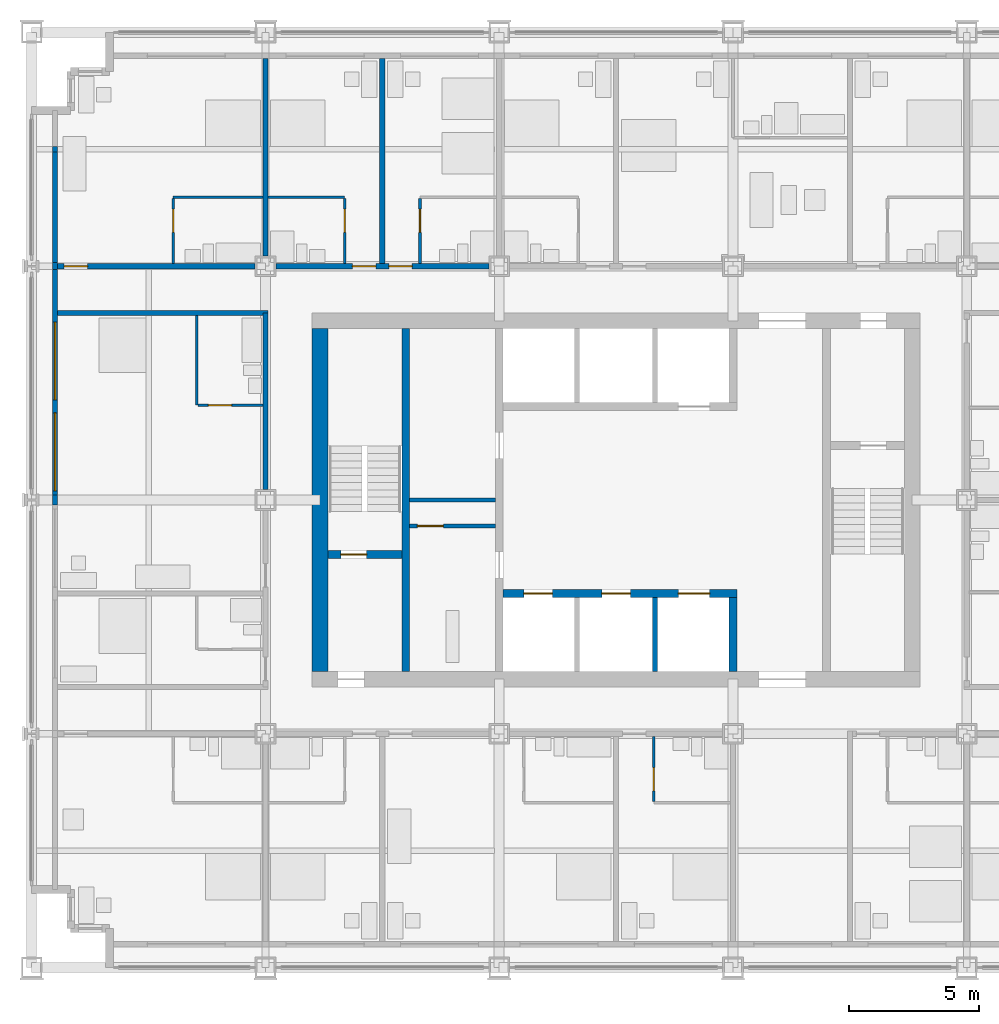
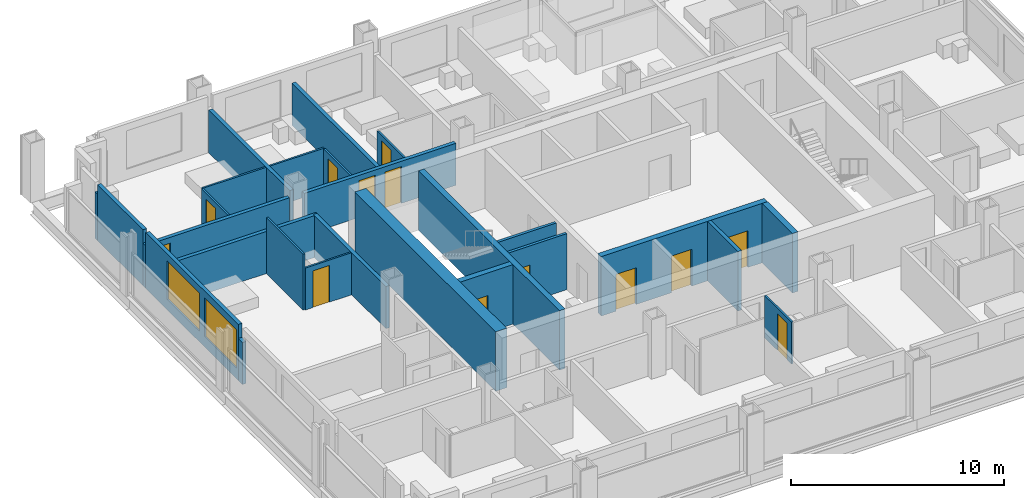
# One storey, part 10 of 16: 27 walls, 13 doors, 2 windows, 15 openings.
"""IFC4 building model written with IfcOpenShell, lengths in metres."""

from ifc_helpers import new_model, si_unit, direction, frame, frame_2d, origin, place, context, subcontext, project, spatial, rectangle, extrude, material, layer, layer_set, type_object, element, fill, save


model = new_model("IFC4")

# Units and contexts
model_context = context("Model", 3, precision=1e-05, world=origin(), true_north=direction((0.0, 1.0)))
body_context = subcontext(model_context, "Body", "Model", "MODEL_VIEW")
ifc_project = project(units=[si_unit("LENGTHUNIT", "METRE"), si_unit("AREAUNIT", "SQUARE_METRE"), si_unit("VOLUMEUNIT", "CUBIC_METRE"), si_unit("PLANEANGLEUNIT", "RADIAN"), si_unit("MASSUNIT", "GRAM", prefix="KILO")], contexts=[model_context])

# Site, building, storey
site_placement = place(None, origin())
site = spatial("IfcSite", under=ifc_project, at=site_placement, CompositionType="ELEMENT")
building_placement = place(site_placement, origin())
building = spatial("IfcBuilding", under=site, at=building_placement, Name="Loomwork Tower", CompositionType="ELEMENT")
storey_placement = place(building_placement, frame((0.0, 0.0, 101.0)))
storey = spatial("IfcBuildingStorey", under=building, at=storey_placement, Name="L26", CompositionType="ELEMENT", Elevation=101.0)

# Wall
ifc_material_1 = material(Name="Concrete 14000 psi (97 MPa)", Category="concrete")
ifc_layer_1 = layer(ifc_material_1, 0.300048828125)
ifc_layer_set_1 = layer_set([ifc_layer_1], Name="Core shear wall 300")
wall_type_1 = type_object("IfcWallType", Name="Core shear wall 300", PredefinedType="SHEAR", material=ifc_layer_set_1)
wall_1_placement = place(storey_placement, frame((14.39990234375, 11.39990234375, 0.0), z_axis=(0.0, 0.0, 1.0), x_axis=(0.0, 1.0, 0.0)))
element("IfcWall", 1, at=wall_1_placement, inside=storey, type_object=wall_type_1, Name="Stair A east wall L26", PredefinedType="SHEAR", context=body_context, shape_type="SweptSolid", body=[
    extrude(rectangle(XDim=13.2001953125, YDim=0.300048828125, at=frame_2d((6.60009765625, 0.0))), origin(), (0.0, 0.0, 1.0), 3.39990234375),
])

# Wall, opening, door
wall_2_placement = place(storey_placement, frame((11.39990234375, 15.89990234375, 0.0), z_axis=(0.0, 0.0, 1.0), x_axis=(1.0, 0.0, 0.0)))
wall_2 = element("IfcWall", 2, at=wall_2_placement, inside=storey, type_object=wall_type_1, Name="Stair A south wall L26", PredefinedType="SHEAR", context=body_context, shape_type="SweptSolid", body=[
    extrude(rectangle(XDim=2.85009765625, YDim=0.300048828125, at=frame_2d((1.425048828125, 0.0))), origin(), (0.0, 0.0, 1.0), 3.39990234375),
])
opening_1_placement = place(wall_2_placement, frame((0.5, 0.0, 0.0)))
opening_1 = element("IfcOpeningElement", 3, at=opening_1_placement, cuts=wall_2, Name="Opening D4", PredefinedType="OPENING", context=body_context, shape_type="SweptSolid", body=[
    extrude(rectangle(XDim=1.0, YDim=2.10009765625, at=frame_2d((0.5, 1.050048828125))), frame((0.0, 0.159912109375, 0.0), z_axis=(0.0, -1.0, 0.0), x_axis=(1.0, 0.0, 0.0)), (0.0, 0.0, 1.0), 0.320068359375),
])
ifc_material_2 = material(Name="Hollow metal door and frame")
door_type_1 = type_object("IfcDoorType", Name="Stair door 1000", OperationType="SINGLE_SWING_RIGHT", PredefinedType="DOOR", material=ifc_material_2)
door_1_placement = place(opening_1_placement, origin())
door_1 = element("IfcDoor", 4, at=door_1_placement, inside=storey, type_object=door_type_1, Name="Stair A door", OperationType="SINGLE_SWING_LEFT", OverallHeight=2.10009765625, OverallWidth=1.0, PredefinedType="DOOR", context=body_context, shape_type="SweptSolid", body=[
    extrude(rectangle(XDim=1.0, YDim=2.10009765625, at=frame_2d((0.5, 1.050048828125))), frame((0.0, 0.02490234375, 0.0), z_axis=(0.0, -1.0, 0.0), x_axis=(1.0, 0.0, 0.0)), (0.0, 0.0, 1.0), 0.050048828125),
])
fill(opening_1, door_1)

# Wall, openings, doors
wall_3_placement = place(storey_placement, frame((18.14990234375, 14.39990234375, 0.0), z_axis=(0.0, 0.0, 1.0), x_axis=(1.0, 0.0, 0.0)))
wall_3 = element("IfcWall", 5, at=wall_3_placement, inside=storey, type_object=wall_type_1, Name="Lift front wall south L26", PredefinedType="SHEAR", context=body_context, shape_type="SweptSolid", body=[
    extrude(rectangle(XDim=9.0, YDim=0.300048828125, at=frame_2d((4.5, 0.0))), origin(), (0.0, 0.0, 1.0), 3.39990234375),
])
opening_2_placement = place(wall_3_placement, frame((0.800048828125, 0.0, 0.0)))
opening_2 = element("IfcOpeningElement", 6, at=opening_2_placement, cuts=wall_3, Name="Opening LD1", PredefinedType="OPENING", context=body_context, shape_type="SweptSolid", body=[
    extrude(rectangle(XDim=1.10009765625, YDim=2.10009765625, at=frame_2d((0.550048828125, 1.050048828125))), frame((0.0, 0.159912109375, 0.0), z_axis=(0.0, -1.0, 0.0), x_axis=(1.0, 0.0, 0.0)), (0.0, 0.0, 1.0), 0.320068359375),
])
opening_3_placement = place(wall_3_placement, frame((3.800048828125, 0.0, 0.0)))
opening_3 = element("IfcOpeningElement", 7, at=opening_3_placement, cuts=wall_3, Name="Opening LD1", PredefinedType="OPENING", context=body_context, shape_type="SweptSolid", body=[
    extrude(rectangle(XDim=1.10009765625, YDim=2.10009765625, at=frame_2d((0.550048828125, 1.050048828125))), frame((0.0, 0.159912109375, 0.0), z_axis=(0.0, -1.0, 0.0), x_axis=(1.0, 0.0, 0.0)), (0.0, 0.0, 1.0), 0.320068359375),
])
opening_4_placement = place(wall_3_placement, frame((6.75, 0.0, 0.0)))
opening_4 = element("IfcOpeningElement", 8, at=opening_4_placement, cuts=wall_3, Name="Opening LD2", PredefinedType="OPENING", context=body_context, shape_type="SweptSolid", body=[
    extrude(rectangle(XDim=1.199951171875, YDim=2.10009765625, at=frame_2d((0.60009765625, 1.050048828125))), frame((0.0, 0.159912109375, 0.0), z_axis=(0.0, -1.0, 0.0), x_axis=(1.0, 0.0, 0.0)), (0.0, 0.0, 1.0), 0.320068359375),
])
ifc_material_3 = material(Name="Hollow metal door and frame")
door_type_2 = type_object("IfcDoorType", Name="Lift landing door 1100", OperationType="SLIDING_TO_LEFT", PredefinedType="DOOR", material=ifc_material_3)
door_2_placement = place(opening_2_placement, origin())
door_2 = element("IfcDoor", 9, at=door_2_placement, inside=storey, type_object=door_type_2, Name="Lift landing door LB1", OperationType="SLIDING_TO_LEFT", OverallHeight=2.10009765625, OverallWidth=1.10009765625, PredefinedType="DOOR", context=body_context, shape_type="SweptSolid", body=[
    extrude(rectangle(XDim=1.10009765625, YDim=2.10009765625, at=frame_2d((0.550048828125, 1.050048828125))), frame((0.0, 0.02490234375, 0.0), z_axis=(0.0, -1.0, 0.0), x_axis=(1.0, 0.0, 0.0)), (0.0, 0.0, 1.0), 0.050048828125),
])
fill(opening_2, door_2)
door_3_placement = place(opening_3_placement, origin())
door_3 = element("IfcDoor", 10, at=door_3_placement, inside=storey, type_object=door_type_2, Name="Lift landing door LB2", OperationType="SLIDING_TO_LEFT", OverallHeight=2.10009765625, OverallWidth=1.10009765625, PredefinedType="DOOR", context=body_context, shape_type="SweptSolid", body=[
    extrude(rectangle(XDim=1.10009765625, YDim=2.10009765625, at=frame_2d((0.550048828125, 1.050048828125))), frame((0.0, 0.02490234375, 0.0), z_axis=(0.0, -1.0, 0.0), x_axis=(1.0, 0.0, 0.0)), (0.0, 0.0, 1.0), 0.050048828125),
])
fill(opening_3, door_3)
ifc_material_4 = material(Name="Hollow metal door and frame")
door_type_3 = type_object("IfcDoorType", Name="Lift landing door 1200", OperationType="SLIDING_TO_LEFT", PredefinedType="DOOR", material=ifc_material_4)
door_4_placement = place(opening_4_placement, origin())
door_4 = element("IfcDoor", 11, at=door_4_placement, inside=storey, type_object=door_type_3, Name="Lift landing door LF1", OperationType="SLIDING_TO_LEFT", OverallHeight=2.10009765625, OverallWidth=1.199951171875, PredefinedType="DOOR", context=body_context, shape_type="SweptSolid", body=[
    extrude(rectangle(XDim=1.199951171875, YDim=2.10009765625, at=frame_2d((0.60009765625, 1.050048828125))), frame((0.0, 0.02490234375, 0.0), z_axis=(0.0, -1.0, 0.0), x_axis=(1.0, 0.0, 0.0)), (0.0, 0.0, 1.0), 0.050048828125),
])
fill(opening_4, door_4)

# Walls
wall_4_placement = place(storey_placement, frame((27.0, 11.39990234375, 0.0), z_axis=(0.0, 0.0, 1.0), x_axis=(0.0, 1.0, 0.0)))
element("IfcWall", 12, at=wall_4_placement, inside=storey, type_object=wall_type_1, Name="Lift shaft end wall south L26", PredefinedType="SHEAR", context=body_context, shape_type="SweptSolid", body=[
    extrude(rectangle(XDim=2.85009765625, YDim=0.300048828125, at=frame_2d((1.425048828125, 0.0))), origin(), (0.0, 0.0, 1.0), 3.39990234375),
])
ifc_material_5 = material(Name="Concrete 14000 psi (97 MPa)", Category="concrete")
ifc_layer_2 = layer(ifc_material_5, 0.60009765625)
ifc_layer_set_2 = layer_set([ifc_layer_2], Name="Core shear wall 600")
wall_type_2 = type_object("IfcWallType", Name="Core shear wall 600", PredefinedType="SHEAR", material=ifc_layer_set_2)
wall_5_placement = place(storey_placement, frame((11.10009765625, 11.39990234375, 0.0), z_axis=(0.0, 0.0, 1.0), x_axis=(0.0, 1.0, 0.0)))
element("IfcWall", 13, at=wall_5_placement, inside=storey, type_object=wall_type_2, Name="Core wall west L26", PredefinedType="SHEAR", context=body_context, shape_type="SweptSolid", body=[
    extrude(rectangle(XDim=13.2001953125, YDim=0.60009765625, at=frame_2d((6.60009765625, 0.0))), origin(), (0.0, 0.0, 1.0), 3.39990234375),
])

# Wall, opening, door
ifc_material_6 = material(Name="Gypsum board on steel studs, one-hour", Category="steel")
ifc_layer_3 = layer(ifc_material_6, 0.199951171875)
ifc_layer_set_3 = layer_set([ifc_layer_3], Name="Corridor wall 200")
wall_type_3 = type_object("IfcWallType", Name="Corridor wall 200", PredefinedType="PARTITIONING", material=ifc_layer_set_3)
wall_6_placement = place(storey_placement, frame((1.0, 27.0, 0.0), z_axis=(0.0, 0.0, 1.0), x_axis=(1.0, 0.0, 0.0)))
wall_6 = element("IfcWall", 14, at=wall_6_placement, inside=storey, type_object=wall_type_3, Name="North corridor wall 1", PredefinedType="PARTITIONING", context=body_context, shape_type="SweptSolid", body=[
    extrude(rectangle(XDim=7.60009765625, YDim=0.199951171875, at=frame_2d((3.800048828125, 0.0))), origin(), (0.0, 0.0, 1.0), 2.43798828125),
])
opening_5_placement = place(wall_6_placement, frame((0.25, 0.0, 0.0)))
opening_5 = element("IfcOpeningElement", 15, at=opening_5_placement, cuts=wall_6, Name="Opening D1", PredefinedType="OPENING", context=body_context, shape_type="SweptSolid", body=[
    extrude(rectangle(XDim=0.89990234375, YDim=2.10009765625, at=frame_2d((0.449951171875, 1.050048828125))), frame((0.0, 0.10986328125, 0.0), z_axis=(0.0, -1.0, 0.0), x_axis=(1.0, 0.0, 0.0)), (0.0, 0.0, 1.0), 0.219970703125),
])
ifc_material_7 = material(Name="Hollow metal door and frame")
door_type_4 = type_object("IfcDoorType", Name="Guest room entry door 900", OperationType="SINGLE_SWING_LEFT", PredefinedType="DOOR", material=ifc_material_7)
door_5_placement = place(opening_5_placement, origin())
door_5 = element("IfcDoor", 16, at=door_5_placement, inside=storey, type_object=door_type_4, Name="Guest room entry door L26 7", OperationType="SINGLE_SWING_LEFT", OverallHeight=2.10009765625, OverallWidth=0.89990234375, PredefinedType="DOOR", context=body_context, shape_type="SweptSolid", body=[
    extrude(rectangle(XDim=0.89990234375, YDim=2.10009765625, at=frame_2d((0.449951171875, 1.050048828125))), frame((0.0, 0.02490234375, 0.0), z_axis=(0.0, -1.0, 0.0), x_axis=(1.0, 0.0, 0.0)), (0.0, 0.0, 1.0), 0.050048828125),
])
fill(opening_5, door_5)

# Wall, openings, doors
wall_7_placement = place(storey_placement, frame((9.39990234375, 27.0, 0.0), z_axis=(0.0, 0.0, 1.0), x_axis=(1.0, 0.0, 0.0)))
wall_7 = element("IfcWall", 17, at=wall_7_placement, inside=storey, type_object=wall_type_3, Name="North corridor wall 2", PredefinedType="PARTITIONING", context=body_context, shape_type="SweptSolid", body=[
    extrude(rectangle(XDim=8.2001953125, YDim=0.199951171875, at=frame_2d((4.10009765625, 0.0))), origin(), (0.0, 0.0, 1.0), 2.405029296875),
])
opening_6_placement = place(wall_7_placement, frame((2.949951171875, 0.0, 0.0)))
opening_6 = element("IfcOpeningElement", 18, at=opening_6_placement, cuts=wall_7, Name="Opening D1", PredefinedType="OPENING", context=body_context, shape_type="SweptSolid", body=[
    extrude(rectangle(XDim=0.89990234375, YDim=2.10009765625, at=frame_2d((0.449951171875, 1.050048828125))), frame((0.0, 0.10986328125, 0.0), z_axis=(0.0, -1.0, 0.0), x_axis=(1.0, 0.0, 0.0)), (0.0, 0.0, 1.0), 0.219970703125),
])
opening_7_placement = place(wall_7_placement, frame((4.35009765625, 0.0, 0.0)))
opening_7 = element("IfcOpeningElement", 19, at=opening_7_placement, cuts=wall_7, Name="Opening D1", PredefinedType="OPENING", context=body_context, shape_type="SweptSolid", body=[
    extrude(rectangle(XDim=0.89990234375, YDim=2.10009765625, at=frame_2d((0.449951171875, 1.050048828125))), frame((0.0, 0.10986328125, 0.0), z_axis=(0.0, -1.0, 0.0), x_axis=(1.0, 0.0, 0.0)), (0.0, 0.0, 1.0), 0.219970703125),
])
door_6_placement = place(opening_6_placement, origin())
door_6 = element("IfcDoor", 20, at=door_6_placement, inside=storey, type_object=door_type_4, Name="Guest room entry door L26 8", OperationType="SINGLE_SWING_RIGHT", OverallHeight=2.10009765625, OverallWidth=0.89990234375, PredefinedType="DOOR", context=body_context, shape_type="SweptSolid", body=[
    extrude(rectangle(XDim=0.89990234375, YDim=2.10009765625, at=frame_2d((0.449951171875, 1.050048828125))), frame((0.0, 0.02490234375, 0.0), z_axis=(0.0, -1.0, 0.0), x_axis=(1.0, 0.0, 0.0)), (0.0, 0.0, 1.0), 0.050048828125),
])
fill(opening_6, door_6)
door_7_placement = place(opening_7_placement, origin())
door_7 = element("IfcDoor", 21, at=door_7_placement, inside=storey, type_object=door_type_4, Name="Guest room entry door L26 9", OperationType="SINGLE_SWING_LEFT", OverallHeight=2.10009765625, OverallWidth=0.89990234375, PredefinedType="DOOR", context=body_context, shape_type="SweptSolid", body=[
    extrude(rectangle(XDim=0.89990234375, YDim=2.10009765625, at=frame_2d((0.449951171875, 1.050048828125))), frame((0.0, 0.02490234375, 0.0), z_axis=(0.0, -1.0, 0.0), x_axis=(1.0, 0.0, 0.0)), (0.0, 0.0, 1.0), 0.050048828125),
])
fill(opening_7, door_7)

# Walls
wall_8_placement = place(storey_placement, frame((9.0, 18.39990234375, 0.0), z_axis=(0.0, 0.0, 1.0), x_axis=(0.0, 1.0, 0.0)))
element("IfcWall", 22, at=wall_8_placement, inside=storey, type_object=wall_type_3, Name="West corridor wall 2", PredefinedType="PARTITIONING", context=body_context, shape_type="SweptSolid", body=[
    extrude(rectangle(XDim=6.800048828125, YDim=0.199951171875, at=frame_2d((3.39990234375, 0.0))), origin(), (0.0, 0.0, 1.0), 2.405029296875),
])
wall_9_placement = place(storey_placement, frame((1.0, 25.199951171875, 0.0), z_axis=(0.0, 0.0, 1.0), x_axis=(1.0, 0.0, 0.0)))
element("IfcWall", 23, at=wall_9_placement, inside=storey, type_object=wall_type_3, Name="West band end wall N", PredefinedType="PARTITIONING", context=body_context, shape_type="SweptSolid", body=[
    extrude(rectangle(XDim=8.10009765625, YDim=0.199951171875, at=frame_2d((4.050048828125, 0.0))), origin(), (0.0, 0.0, 1.0), 2.404052734375),
])

# Wall, opening, door
ifc_material_8 = material(Name="Cement board on steel studs", Category="steel")
ifc_layer_4 = layer(ifc_material_8, 0.10009765625)
ifc_layer_set_4 = layer_set([ifc_layer_4], Name="En-suite partition 100")
wall_type_4 = type_object("IfcWallType", Name="En-suite partition 100", PredefinedType="PARTITIONING", material=ifc_layer_set_4)
wall_10_placement = place(storey_placement, frame((23.949951171875, 8.89990234375, 0.0), z_axis=(0.0, 0.0, 1.0), x_axis=(0.0, -1.0, 0.0)))
wall_10 = element("IfcWall", 24, at=wall_10_placement, inside=storey, type_object=wall_type_4, Name="En-suite side wall L26 room 4", PredefinedType="PARTITIONING", context=body_context, shape_type="SweptSolid", body=[
    extrude(rectangle(XDim=2.5, YDim=0.10009765625, at=frame_2d((1.25, 0.0))), origin(), (0.0, 0.0, 1.0), 2.404052734375),
])
opening_8_placement = place(wall_10_placement, frame((1.199951171875, 0.0, 0.0)))
opening_8 = element("IfcOpeningElement", 25, at=opening_8_placement, cuts=wall_10, Name="Opening D2", PredefinedType="OPENING", context=body_context, shape_type="SweptSolid", body=[
    extrude(rectangle(XDim=0.89990234375, YDim=2.10009765625, at=frame_2d((0.449951171875, 1.050048828125))), frame((0.0, 0.06005859375, 0.0), z_axis=(0.0, -1.0, 0.0), x_axis=(1.0, 0.0, 0.0)), (0.0, 0.0, 1.0), 0.1201171875),
])
ifc_material_9 = material(Name="Hollow metal door and frame")
door_type_5 = type_object("IfcDoorType", Name="En-suite door 900", OperationType="SINGLE_SWING_LEFT", PredefinedType="DOOR", material=ifc_material_9)
door_8_placement = place(opening_8_placement, origin())
door_8 = element("IfcDoor", 26, at=door_8_placement, inside=storey, type_object=door_type_5, Name="En-suite door room 4", OperationType="SINGLE_SWING_RIGHT", OverallHeight=2.10009765625, OverallWidth=0.89990234375, PredefinedType="DOOR", context=body_context, shape_type="SweptSolid", body=[
    extrude(rectangle(XDim=0.89990234375, YDim=2.10009765625, at=frame_2d((0.449951171875, 1.050048828125))), frame((0.0, 0.02490234375, 0.0), z_axis=(0.0, -1.0, 0.0), x_axis=(1.0, 0.0, 0.0)), (0.0, 0.0, 1.0), 0.050048828125),
])
fill(opening_8, door_8)

# Wall
wall_11_placement = place(storey_placement, frame((5.449951171875, 29.64990234375, 0.0), z_axis=(0.0, 0.0, 1.0), x_axis=(1.0, 0.0, 0.0)))
element("IfcWall", 27, at=wall_11_placement, inside=storey, type_object=wall_type_4, Name="En-suite wall L26 room 7", PredefinedType="PARTITIONING", context=body_context, shape_type="SweptSolid", body=[
    extrude(rectangle(XDim=3.449951171875, YDim=0.10009765625, at=frame_2d((1.72509765625, 0.0))), origin(), (0.0, 0.0, 1.0), 2.43798828125),
])

# Wall, opening, door
wall_12_placement = place(storey_placement, frame((5.449951171875, 27.10009765625, 0.0), z_axis=(0.0, 0.0, 1.0), x_axis=(0.0, 1.0, 0.0)))
wall_12 = element("IfcWall", 28, at=wall_12_placement, inside=storey, type_object=wall_type_4, Name="En-suite side wall L26 room 7", PredefinedType="PARTITIONING", context=body_context, shape_type="SweptSolid", body=[
    extrude(rectangle(XDim=2.5, YDim=0.10009765625, at=frame_2d((1.25, 0.0))), origin(), (0.0, 0.0, 1.0), 2.43798828125),
])
opening_9_placement = place(wall_12_placement, frame((1.199951171875, 0.0, 0.0)))
opening_9 = element("IfcOpeningElement", 29, at=opening_9_placement, cuts=wall_12, Name="Opening D2", PredefinedType="OPENING", context=body_context, shape_type="SweptSolid", body=[
    extrude(rectangle(XDim=0.89990234375, YDim=2.10009765625, at=frame_2d((0.449951171875, 1.050048828125))), frame((0.0, 0.06005859375, 0.0), z_axis=(0.0, -1.0, 0.0), x_axis=(1.0, 0.0, 0.0)), (0.0, 0.0, 1.0), 0.1201171875),
])
door_9_placement = place(opening_9_placement, frame((0.89990234375, 0.0, 0.0), z_axis=(0.0, 0.0, 1.0), x_axis=(-1.0, 0.0, 0.0)))
door_9 = element("IfcDoor", 30, at=door_9_placement, inside=storey, type_object=door_type_5, Name="En-suite door room 7", OperationType="SINGLE_SWING_LEFT", OverallHeight=2.10009765625, OverallWidth=0.89990234375, PredefinedType="DOOR", context=body_context, shape_type="SweptSolid", body=[
    extrude(rectangle(XDim=0.89990234375, YDim=2.10009765625, at=frame_2d((0.449951171875, 1.050048828125))), frame((0.0, 0.02490234375, 0.0), z_axis=(0.0, -1.0, 0.0), x_axis=(1.0, 0.0, 0.0)), (0.0, 0.0, 1.0), 0.050048828125),
])
fill(opening_9, door_9)

# Wall
wall_13_placement = place(storey_placement, frame((9.10009765625, 29.64990234375, 0.0), z_axis=(0.0, 0.0, 1.0), x_axis=(1.0, 0.0, 0.0)))
element("IfcWall", 31, at=wall_13_placement, inside=storey, type_object=wall_type_4, Name="En-suite wall L26 room 8", PredefinedType="PARTITIONING", context=body_context, shape_type="SweptSolid", body=[
    extrude(rectangle(XDim=2.949951171875, YDim=0.10009765625, at=frame_2d((1.47509765625, 0.0))), origin(), (0.0, 0.0, 1.0), 2.43798828125),
])

# Wall, opening, door
wall_14_placement = place(storey_placement, frame((12.050048828125, 27.10009765625, 0.0), z_axis=(0.0, 0.0, 1.0), x_axis=(0.0, 1.0, 0.0)))
wall_14 = element("IfcWall", 32, at=wall_14_placement, inside=storey, type_object=wall_type_4, Name="En-suite side wall L26 room 8", PredefinedType="PARTITIONING", context=body_context, shape_type="SweptSolid", body=[
    extrude(rectangle(XDim=2.5, YDim=0.10009765625, at=frame_2d((1.25, 0.0))), origin(), (0.0, 0.0, 1.0), 2.404052734375),
])
opening_10_placement = place(wall_14_placement, frame((1.199951171875, 0.0, 0.0)))
opening_10 = element("IfcOpeningElement", 33, at=opening_10_placement, cuts=wall_14, Name="Opening D2", PredefinedType="OPENING", context=body_context, shape_type="SweptSolid", body=[
    extrude(rectangle(XDim=0.89990234375, YDim=2.10009765625, at=frame_2d((0.449951171875, 1.050048828125))), frame((0.0, 0.06005859375, 0.0), z_axis=(0.0, -1.0, 0.0), x_axis=(1.0, 0.0, 0.0)), (0.0, 0.0, 1.0), 0.1201171875),
])
door_10_placement = place(opening_10_placement, origin())
door_10 = element("IfcDoor", 34, at=door_10_placement, inside=storey, type_object=door_type_5, Name="En-suite door room 8", OperationType="SINGLE_SWING_RIGHT", OverallHeight=2.10009765625, OverallWidth=0.89990234375, PredefinedType="DOOR", context=body_context, shape_type="SweptSolid", body=[
    extrude(rectangle(XDim=0.89990234375, YDim=2.10009765625, at=frame_2d((0.449951171875, 1.050048828125))), frame((0.0, 0.02490234375, 0.0), z_axis=(0.0, -1.0, 0.0), x_axis=(1.0, 0.0, 0.0)), (0.0, 0.0, 1.0), 0.050048828125),
])
fill(opening_10, door_10)

wall_15_placement = place(storey_placement, frame((14.949951171875, 27.10009765625, 0.0), z_axis=(0.0, 0.0, 1.0), x_axis=(0.0, 1.0, 0.0)))
wall_15 = element("IfcWall", 35, at=wall_15_placement, inside=storey, type_object=wall_type_4, Name="En-suite side wall L26 room 9", PredefinedType="PARTITIONING", context=body_context, shape_type="SweptSolid", body=[
    extrude(rectangle(XDim=2.5, YDim=0.10009765625, at=frame_2d((1.25, 0.0))), origin(), (0.0, 0.0, 1.0), 2.404052734375),
])
opening_11_placement = place(wall_15_placement, frame((1.199951171875, 0.0, 0.0)))
opening_11 = element("IfcOpeningElement", 36, at=opening_11_placement, cuts=wall_15, Name="Opening D2", PredefinedType="OPENING", context=body_context, shape_type="SweptSolid", body=[
    extrude(rectangle(XDim=0.89990234375, YDim=2.10009765625, at=frame_2d((0.449951171875, 1.050048828125))), frame((0.0, 0.06005859375, 0.0), z_axis=(0.0, -1.0, 0.0), x_axis=(1.0, 0.0, 0.0)), (0.0, 0.0, 1.0), 0.1201171875),
])
door_11_placement = place(opening_11_placement, frame((0.89990234375, 0.0, 0.0), z_axis=(0.0, 0.0, 1.0), x_axis=(-1.0, 0.0, 0.0)))
door_11 = element("IfcDoor", 37, at=door_11_placement, inside=storey, type_object=door_type_5, Name="En-suite door room 9", OperationType="SINGLE_SWING_LEFT", OverallHeight=2.10009765625, OverallWidth=0.89990234375, PredefinedType="DOOR", context=body_context, shape_type="SweptSolid", body=[
    extrude(rectangle(XDim=0.89990234375, YDim=2.10009765625, at=frame_2d((0.449951171875, 1.050048828125))), frame((0.0, 0.02490234375, 0.0), z_axis=(0.0, -1.0, 0.0), x_axis=(1.0, 0.0, 0.0)), (0.0, 0.0, 1.0), 0.050048828125),
])
fill(opening_11, door_11)

# Wall
wall_16_placement = place(storey_placement, frame((6.35009765625, 21.64990234375, 0.0), z_axis=(0.0, 0.0, 1.0), x_axis=(0.0, 1.0, 0.0)))
element("IfcWall", 38, at=wall_16_placement, inside=storey, type_object=wall_type_4, Name="En-suite wall L26 room 15", PredefinedType="PARTITIONING", context=body_context, shape_type="SweptSolid", body=[
    extrude(rectangle(XDim=3.4501953125, YDim=0.10009765625, at=frame_2d((1.72509765625, 0.0))), origin(), (0.0, 0.0, 1.0), 3.199951171875),
])

# Wall, opening, door
wall_17_placement = place(storey_placement, frame((8.89990234375, 21.64990234375, 0.0), z_axis=(0.0, 0.0, 1.0), x_axis=(-1.0, 0.0, 0.0)))
wall_17 = element("IfcWall", 39, at=wall_17_placement, inside=storey, type_object=wall_type_4, Name="En-suite side wall L26 room 15", PredefinedType="PARTITIONING", context=body_context, shape_type="SweptSolid", body=[
    extrude(rectangle(XDim=2.5, YDim=0.10009765625, at=frame_2d((1.25, 0.0))), origin(), (0.0, 0.0, 1.0), 2.404052734375),
])
opening_12_placement = place(wall_17_placement, frame((1.199951171875, 0.0, 0.0)))
opening_12 = element("IfcOpeningElement", 40, at=opening_12_placement, cuts=wall_17, Name="Opening D2", PredefinedType="OPENING", context=body_context, shape_type="SweptSolid", body=[
    extrude(rectangle(XDim=0.89990234375, YDim=2.10009765625, at=frame_2d((0.449951171875, 1.050048828125))), frame((0.0, 0.06005859375, 0.0), z_axis=(0.0, -1.0, 0.0), x_axis=(1.0, 0.0, 0.0)), (0.0, 0.0, 1.0), 0.1201171875),
])
door_12_placement = place(opening_12_placement, frame((0.89990234375, 0.0, 0.0), z_axis=(0.0, 0.0, 1.0), x_axis=(-1.0, 0.0, 0.0)))
door_12 = element("IfcDoor", 41, at=door_12_placement, inside=storey, type_object=door_type_5, Name="En-suite door room 15", OperationType="SINGLE_SWING_LEFT", OverallHeight=2.10009765625, OverallWidth=0.89990234375, PredefinedType="DOOR", context=body_context, shape_type="SweptSolid", body=[
    extrude(rectangle(XDim=0.89990234375, YDim=2.10009765625, at=frame_2d((0.449951171875, 1.050048828125))), frame((0.0, 0.02490234375, 0.0), z_axis=(0.0, -1.0, 0.0), x_axis=(1.0, 0.0, 0.0)), (0.0, 0.0, 1.0), 0.050048828125),
])
fill(opening_12, door_12)

# Walls
ifc_material_10 = material(Name="Gypsum board on steel studs, acoustic", Category="steel")
ifc_layer_5 = layer(ifc_material_10, 0.199951171875)
ifc_layer_set_5 = layer_set([ifc_layer_5], Name="Guest room party wall 200")
wall_type_5 = type_object("IfcWallType", Name="Guest room party wall 200", PredefinedType="PARTITIONING", material=ifc_layer_set_5)
wall_18_placement = place(storey_placement, frame((9.0, 27.39990234375, 0.0), z_axis=(0.0, 0.0, 1.0), x_axis=(0.0, 1.0, 0.0)))
element("IfcWall", 42, at=wall_18_placement, inside=storey, type_object=wall_type_5, Name="Guest room party wall N 9", PredefinedType="PARTITIONING", context=body_context, shape_type="SweptSolid", body=[
    extrude(rectangle(XDim=7.60009765625, YDim=0.199951171875, at=frame_2d((3.800048828125, 0.0))), origin(), (0.0, 0.0, 1.0), 2.43798828125),
])
wall_19_placement = place(storey_placement, frame((13.5, 27.10009765625, 0.0), z_axis=(0.0, 0.0, 1.0), x_axis=(0.0, 1.0, 0.0)))
element("IfcWall", 43, at=wall_19_placement, inside=storey, type_object=wall_type_5, Name="Guest room party wall N 13.5", PredefinedType="PARTITIONING", context=body_context, shape_type="SweptSolid", body=[
    extrude(rectangle(XDim=7.89990234375, YDim=0.199951171875, at=frame_2d((3.949951171875, 0.0))), origin(), (0.0, 0.0, 1.0), 2.404052734375),
])
ifc_material_11 = material(Name="Insulated steel stud wall with gypsum lining", Category="steel")
ifc_layer_6 = layer(ifc_material_11, 0.199951171875)
ifc_layer_set_6 = layer_set([ifc_layer_6], Name="Inner skin wall 200")
wall_type_6 = type_object("IfcWallType", Name="Inner skin wall 200", PredefinedType="SOLIDWALL", material=ifc_layer_set_6)
wall_20_placement = place(storey_placement, frame((0.89990234375, 17.80615234375, 0.0), z_axis=(0.0, 0.0, 1.0), x_axis=(0.0, 1.0, 0.0)))
element("IfcWall", 44, at=wall_20_placement, inside=storey, type_object=wall_type_6, Name="Inner skin wall W bay 6", PredefinedType="SOLIDWALL", context=body_context, shape_type="SweptSolid", body=[
    extrude(rectangle(XDim=0.3876953125, YDim=0.199951171875, at=frame_2d((0.19384765625, 0.0))), origin(), (0.0, 0.0, 1.0), 2.404052734375),
])

# Wall, openings, windows
wall_21_placement = place(storey_placement, frame((0.89990234375, 18.19384765625, 0.0), z_axis=(0.0, 0.0, 1.0), x_axis=(0.0, 1.0, 0.0)))
wall_21 = element("IfcWall", 45, at=wall_21_placement, inside=storey, type_object=wall_type_6, Name="Inner skin wall W bay 7", PredefinedType="SOLIDWALL", context=body_context, shape_type="SweptSolid", body=[
    extrude(rectangle(XDim=8.6708984375, YDim=0.199951171875, at=frame_2d((4.33544921875, 0.0))), origin(), (0.0, 0.0, 1.0), 3.199951171875),
])
opening_13_placement = place(wall_21_placement, frame((0.15625, 0.0, 0.60009765625)))
opening_13 = element("IfcOpeningElement", 46, at=opening_13_placement, cuts=wall_21, Name="Opening CH1", PredefinedType="OPENING", context=body_context, shape_type="SweptSolid", body=[
    extrude(rectangle(XDim=3.0, YDim=2.199951171875, at=frame_2d((1.5, 1.10009765625))), frame((0.0, 0.10986328125, 0.0), z_axis=(0.0, -1.0, 0.0), x_axis=(1.0, 0.0, 0.0)), (0.0, 0.0, 1.0), 0.219970703125),
])
opening_14_placement = place(wall_21_placement, frame((3.65625, 0.0, 0.60009765625)))
opening_14 = element("IfcOpeningElement", 47, at=opening_14_placement, cuts=wall_21, Name="Opening CH1", PredefinedType="OPENING", context=body_context, shape_type="SweptSolid", body=[
    extrude(rectangle(XDim=3.0, YDim=2.199951171875, at=frame_2d((1.5, 1.10009765625))), frame((0.0, 0.10986328125, 0.0), z_axis=(0.0, -1.0, 0.0), x_axis=(1.0, 0.0, 0.0)), (0.0, 0.0, 1.0), 0.219970703125),
])
ifc_material_12 = material(Name="Aluminium frame with clear insulated glass", Category="aluminium")
window_type = type_object("IfcWindowType", Name="Chicago window 3000", PartitioningType="TRIPLE_PANEL_VERTICAL", PredefinedType="WINDOW", material=ifc_material_12)
window_1_placement = place(opening_13_placement, origin())
window_1 = element("IfcWindow", 48, at=window_1_placement, inside=storey, type_object=window_type, Name="Chicago window L26 bay 12", OverallHeight=2.199951171875, OverallWidth=3.0, PartitioningType="TRIPLE_PANEL_VERTICAL", PredefinedType="WINDOW", context=body_context, shape_type="SweptSolid", body=[
    extrude(rectangle(XDim=3.0, YDim=2.199951171875, at=frame_2d((1.5, 1.10009765625))), frame((0.0, 0.030029296875, 0.0), z_axis=(0.0, -1.0, 0.0), x_axis=(1.0, 0.0, 0.0)), (0.0, 0.0, 1.0), 0.06005859375),
])
fill(opening_13, window_1)
window_2_placement = place(opening_14_placement, origin())
window_2 = element("IfcWindow", 49, at=window_2_placement, inside=storey, type_object=window_type, Name="Chicago window L26 bay 12", OverallHeight=2.199951171875, OverallWidth=3.0, PartitioningType="TRIPLE_PANEL_VERTICAL", PredefinedType="WINDOW", context=body_context, shape_type="SweptSolid", body=[
    extrude(rectangle(XDim=3.0, YDim=2.199951171875, at=frame_2d((1.5, 1.10009765625))), frame((0.0, 0.030029296875, 0.0), z_axis=(0.0, -1.0, 0.0), x_axis=(1.0, 0.0, 0.0)), (0.0, 0.0, 1.0), 0.06005859375),
])
fill(opening_14, window_2)

# Walls
wall_22_placement = place(storey_placement, frame((0.89990234375, 26.86474609375, 0.0), z_axis=(0.0, 0.0, 1.0), x_axis=(0.0, 1.0, 0.0)))
element("IfcWall", 50, at=wall_22_placement, inside=storey, type_object=wall_type_6, Name="Inner skin wall W bay 8", PredefinedType="SOLIDWALL", context=body_context, shape_type="SweptSolid", body=[
    extrude(rectangle(XDim=0.2705078125, YDim=0.199951171875, at=frame_2d((0.13525390625, 0.0))), origin(), (0.0, 0.0, 1.0), 2.43798828125),
])
wall_23_placement = place(storey_placement, frame((0.89990234375, 27.13525390625, 0.0), z_axis=(0.0, 0.0, 1.0), x_axis=(0.0, 1.0, 0.0)))
element("IfcWall", 51, at=wall_23_placement, inside=storey, type_object=wall_type_6, Name="Inner skin wall W bay 9", PredefinedType="SOLIDWALL", context=body_context, shape_type="SweptSolid", body=[
    extrude(rectangle(XDim=4.25732421875, YDim=0.199951171875, at=frame_2d((2.128662109375, 0.0))), origin(), (0.0, 0.0, 1.0), 3.199951171875),
])
wall_24_placement = place(storey_placement, frame((0.89990234375, 31.392578125, 0.0), z_axis=(0.0, 0.0, 1.0), x_axis=(0.0, 1.0, 0.0)))
element("IfcWall", 52, at=wall_24_placement, inside=storey, type_object=wall_type_6, Name="Inner skin wall W bay 10", PredefinedType="SOLIDWALL", context=body_context, shape_type="SweptSolid", body=[
    extrude(rectangle(XDim=0.21484375, YDim=0.199951171875, at=frame_2d((0.107421875, 0.0))), origin(), (0.0, 0.0, 1.0), 2.660888671875),
])
ifc_material_13 = material(Name="Concrete 14000 psi (97 MPa)", Category="concrete")
ifc_layer_7 = layer(ifc_material_13, 0.199951171875)
ifc_layer_set_7 = layer_set([ifc_layer_7], Name="Lift shaft wall 200")
wall_type_7 = type_object("IfcWallType", Name="Lift shaft wall 200", PredefinedType="SHEAR", material=ifc_layer_set_7)
wall_25_placement = place(storey_placement, frame((24.0, 11.39990234375, 0.0), z_axis=(0.0, 0.0, 1.0), x_axis=(0.0, 1.0, 0.0)))
element("IfcWall", 53, at=wall_25_placement, inside=storey, type_object=wall_type_7, Name="Lift shaft separation wall south 2 L26", PredefinedType="SHEAR", context=body_context, shape_type="SweptSolid", body=[
    extrude(rectangle(XDim=2.85009765625, YDim=0.199951171875, at=frame_2d((1.425048828125, 0.0))), origin(), (0.0, 0.0, 1.0), 3.39990234375),
])
ifc_material_14 = material(Name="Gypsum board on steel studs", Category="steel")
ifc_layer_8 = layer(ifc_material_14, 0.14990234375)
ifc_layer_set_8 = layer_set([ifc_layer_8], Name="Partition 150 two-hour")
wall_type_8 = type_object("IfcWallType", Name="Partition 150 two-hour", PredefinedType="PARTITIONING", material=ifc_layer_set_8)
wall_26_placement = place(storey_placement, frame((14.550048828125, 18.0, 0.0), z_axis=(0.0, 0.0, 1.0), x_axis=(1.0, 0.0, 0.0)))
element("IfcWall", 54, at=wall_26_placement, inside=storey, type_object=wall_type_8, Name="Back-of-house dividing wall L26", PredefinedType="PARTITIONING", context=body_context, shape_type="SweptSolid", body=[
    extrude(rectangle(XDim=3.300048828125, YDim=0.14990234375, at=frame_2d((1.64990234375, 0.0))), origin(), (0.0, 0.0, 1.0), 3.199951171875),
])

# Wall, opening, door
ifc_material_15 = material(Name="Gypsum board on steel studs, one-hour", Category="steel")
ifc_layer_9 = layer(ifc_material_15, 0.14990234375)
ifc_layer_set_9 = layer_set([ifc_layer_9], Name="Service partition 150")
wall_type_9 = type_object("IfcWallType", Name="Service partition 150", PredefinedType="PARTITIONING", material=ifc_layer_set_9)
wall_27_placement = place(storey_placement, frame((14.550048828125, 17.0, 0.0), z_axis=(0.0, 0.0, 1.0), x_axis=(1.0, 0.0, 0.0)))
wall_27 = element("IfcWall", 55, at=wall_27_placement, inside=storey, type_object=wall_type_9, Name="Riser enclosure L26", PredefinedType="PARTITIONING", context=body_context, shape_type="SweptSolid", body=[
    extrude(rectangle(XDim=3.300048828125, YDim=0.14990234375, at=frame_2d((1.64990234375, 0.0))), origin(), (0.0, 0.0, 1.0), 3.199951171875),
])
opening_15_placement = place(wall_27_placement, frame((0.300048828125, 0.0, 0.0)))
opening_15 = element("IfcOpeningElement", 56, at=opening_15_placement, cuts=wall_27, Name="Opening D18", PredefinedType="OPENING", context=body_context, shape_type="SweptSolid", body=[
    extrude(rectangle(XDim=1.0, YDim=2.10009765625, at=frame_2d((0.5, 1.050048828125))), frame((0.0, 0.0849609375, 0.0), z_axis=(0.0, -1.0, 0.0), x_axis=(1.0, 0.0, 0.0)), (0.0, 0.0, 1.0), 0.169921875),
])
ifc_material_16 = material(Name="Hollow metal door and frame")
door_type_6 = type_object("IfcDoorType", Name="Ninety-minute service door 1000", OperationType="SINGLE_SWING_LEFT", PredefinedType="DOOR", material=ifc_material_16)
door_13_placement = place(opening_15_placement, frame((1.0, 0.0, 0.0), z_axis=(0.0, 0.0, 1.0), x_axis=(-1.0, 0.0, 0.0)))
door_13 = element("IfcDoor", 57, at=door_13_placement, inside=storey, type_object=door_type_6, Name="Riser access door", OperationType="SINGLE_SWING_RIGHT", OverallHeight=2.10009765625, OverallWidth=1.0, PredefinedType="DOOR", context=body_context, shape_type="SweptSolid", body=[
    extrude(rectangle(XDim=1.0, YDim=2.10009765625, at=frame_2d((0.5, 1.050048828125))), frame((0.0, 0.02490234375, 0.0), z_axis=(0.0, -1.0, 0.0), x_axis=(1.0, 0.0, 0.0)), (0.0, 0.0, 1.0), 0.050048828125),
])
fill(opening_15, door_13)

save(model, "model.ifc")
